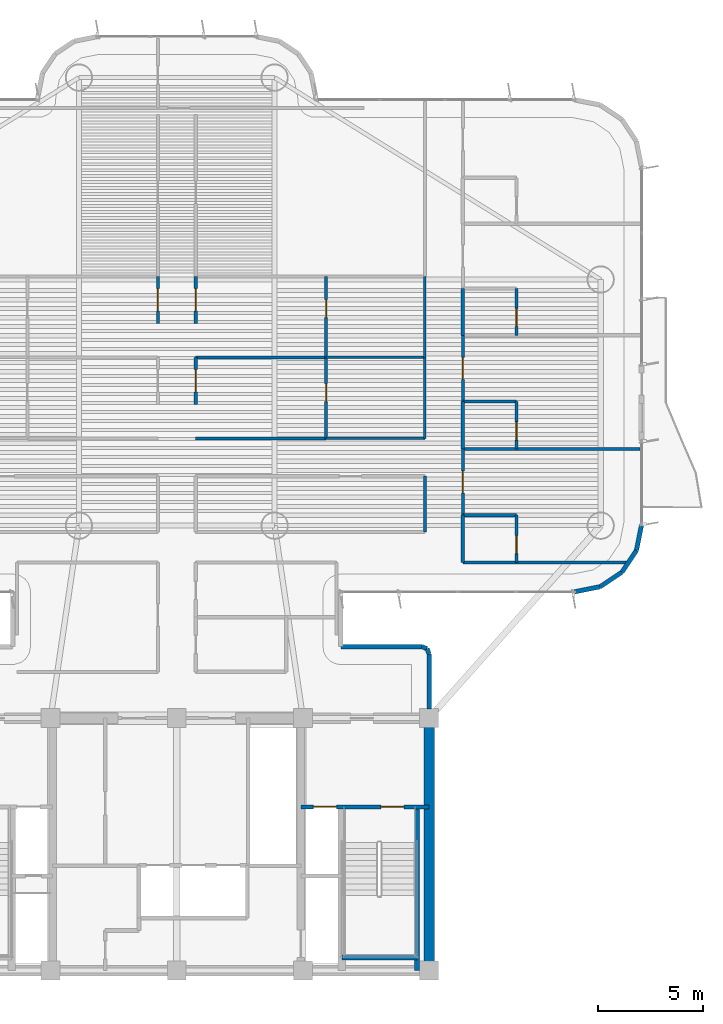
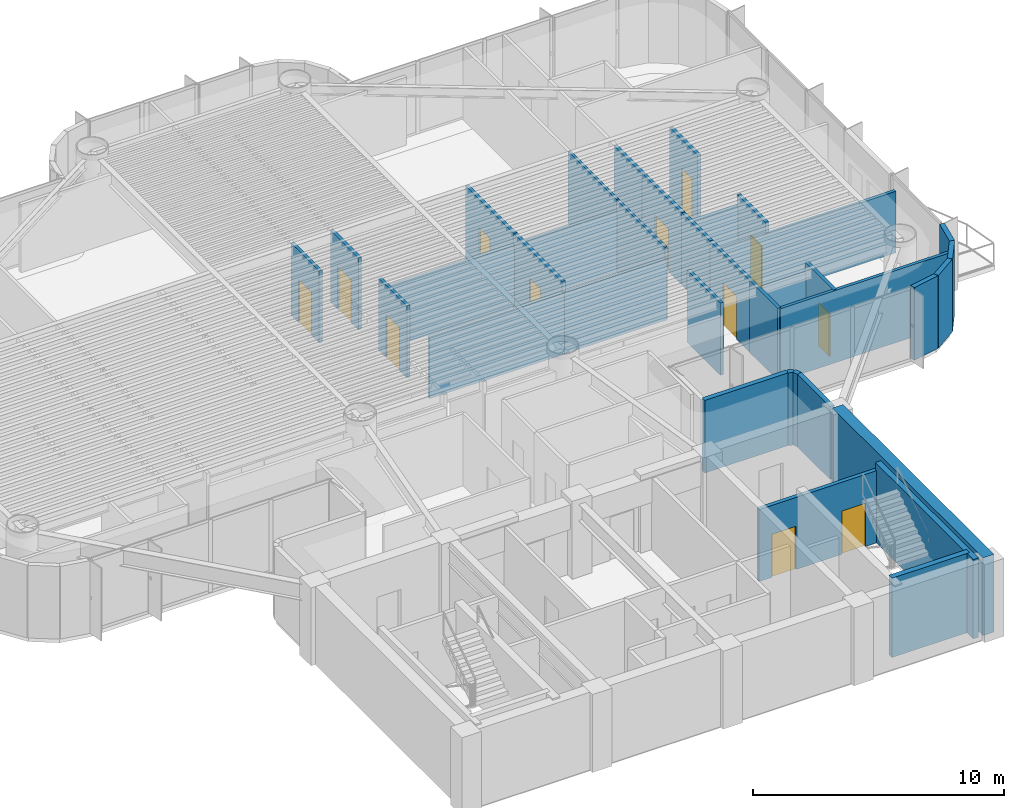
# One storey, part 11 of 17: 36 walls, 12 doors, 12 openings.
"""IFC4 building model written with IfcOpenShell, lengths in metres."""

from ifc_helpers import new_model, si_unit, direction, frame, frame_2d, origin, origin_2d, place, context, subcontext, project, spatial, rectangle, extrude, source, transform, mapped, material, layer, layer_set, type_object, element, fill, save


model = new_model("IFC4")

# Units and contexts
model_context = context("Model", 3, precision=1e-05, world=origin(), true_north=direction((0.0, 1.0)))
body_context = subcontext(model_context, "Body", "Model", "MODEL_VIEW")
ifc_project = project(units=[si_unit("LENGTHUNIT", "METRE"), si_unit("AREAUNIT", "SQUARE_METRE"), si_unit("VOLUMEUNIT", "CUBIC_METRE"), si_unit("PLANEANGLEUNIT", "RADIAN"), si_unit("MASSUNIT", "GRAM", prefix="KILO")], contexts=[model_context])

# Site, building, storey
site_placement = place(None, origin())
site = spatial("IfcSite", under=ifc_project, at=site_placement, CompositionType="ELEMENT")
building_placement = place(site_placement, origin())
building = spatial("IfcBuilding", under=site, at=building_placement, Name="Brelvock Crest Care Tower", CompositionType="ELEMENT")
storey_placement = place(building_placement, frame((0.0, 0.0, 127.6201171875)))
storey = spatial("IfcBuildingStorey", under=building, at=storey_placement, Name="L32", CompositionType="ELEMENT", Elevation=127.6201171875)

# Walls
ifc_material_1 = material(Name="Concrete S80 (80 MPa)", Category="concrete")
ifc_layer_1 = layer(ifc_material_1, 0.5, Name="WL-CS2")
ifc_layer_set_1 = layer_set([ifc_layer_1], Name="Concrete S80 (80 MPa)")
wall_type_1 = type_object("IfcWallType", Name="WL-CS2", PredefinedType="SHEAR", material=ifc_layer_set_1)
wall_1_placement = place(storey_placement, frame((48.0, 18.0, 0.0), z_axis=(0.0, 0.0, 1.0), x_axis=(0.0, -1.0, 0.0)))
element("IfcWall", 1, at=wall_1_placement, inside=storey, type_object=wall_type_1, Name="L32 Core East Shear Wall", PredefinedType="SHEAR", context=body_context, shape_type="SweptSolid", body=[
    extrude(rectangle(XDim=12.0, YDim=0.5, at=frame_2d((6.0, 0.0))), origin(), (0.0, 0.0, 1.0), 3.77978515625),
])
ifc_layer_2 = layer(ifc_material_1, 0.25, Name="WL-CS6")
ifc_layer_set_2 = layer_set([ifc_layer_2], Name="Concrete S80 (80 MPa)")
wall_type_2 = type_object("IfcWallType", Name="WL-CS6", PredefinedType="SHEAR", material=ifc_layer_set_2)
wall_2_placement = place(storey_placement, frame((47.419921875, 6.0, 0.0), z_axis=(0.0, 0.0, 1.0), x_axis=(0.0, 1.0, 0.0)))
element("IfcWall", 2, at=wall_2_placement, inside=storey, type_object=wall_type_2, Name="L32 Core Stair ST-2 East Shear Wall", PredefinedType="SHEAR", context=body_context, shape_type="SweptSolid", body=[
    extrude(rectangle(XDim=7.780029296875, YDim=0.25, at=frame_2d((3.89013671875, 0.0))), origin(), (0.0, 0.0, 1.0), 3.849853515625),
])
wall_3_placement = place(storey_placement, frame((43.85009765625, 6.6201171875, 0.0), z_axis=(0.0, 0.0, 1.0), x_axis=(1.0, 0.0, 0.0)))
element("IfcWall", 3, at=wall_3_placement, inside=storey, type_object=wall_type_2, Name="L32 Core Stair ST-2 South Shear Wall", PredefinedType="SHEAR", context=body_context, shape_type="SweptSolid", body=[
    extrude(rectangle(XDim=3.56982421875, YDim=0.25, at=frame_2d((1.784912109375, 0.0))), origin(), (0.0, 0.0, 1.0), 3.849853515625),
])
ifc_material_2 = material(Name="Precast concrete N40 (40 MPa)", Category="concrete")
ifc_layer_3 = layer(ifc_material_2, 0.215087890625, Name="WL-EX2")
ifc_layer_set_3 = layer_set([ifc_layer_3], Name="Precast concrete N40 (40 MPa)")
wall_type_3 = type_object("IfcWallType", Name="WL-EX2", PredefinedType="SOLIDWALL", material=ifc_layer_set_3)
wall_4_placement = place(storey_placement, frame((47.8974609375, 21.297607421875, 0.0), z_axis=(0.0, 0.0, 1.0), x_axis=(0.382673670509, -0.923883575944, 0.0)))
element("IfcWall", 4, at=wall_4_placement, inside=storey, type_object=wall_type_3, Name="L32 Rounded Corner Wall 00", PredefinedType="SOLIDWALL", context=body_context, shape_type="SweptSolid", body=[
    extrude(rectangle(XDim=0.26806640625, YDim=0.215087890625, at=frame_2d((0.134033203125, 0.0))), origin(), (0.0, 0.0, 1.0), 3.52978515625),
])
wall_5_placement = place(storey_placement, frame((48.0, 21.050048828125, 0.0), z_axis=(0.0, 0.0, 1.0), x_axis=(0.0, -1.0, 0.0)))
element("IfcWall", 5, at=wall_5_placement, inside=storey, type_object=wall_type_3, Name="L32 Rounded Corner Wall 01", PredefinedType="SOLIDWALL", context=body_context, shape_type="SweptSolid", body=[
    extrude(rectangle(XDim=2.6201171875, YDim=0.215087890625, at=frame_2d((1.31005859375, 0.0))), origin(), (0.0, 0.0, 1.0), 3.52978515625),
])
for number, where, z_axis, x_axis, name in (
    (6, (58.10009765625, 27.199951171875, 0.0), (0.0, 0.0, 1.0), (-0.195138390419, -0.980775717779, 0.0), "L32 Rounded Corner Wall 40"),
    (7, (57.8564453125, 25.975341796875, 0.0), (0.0, 0.0, 1.0), (-0.555692485475, -0.831387912822, 0.0), "L32 Rounded Corner Wall 41"),
    (8, (57.16259765625, 24.937255859375, 0.0), (0.0, 0.0, 1.0), (-0.831478245117, -0.555557312883, 0.0), "L32 Rounded Corner Wall 42"),
    (9, (56.12451171875, 24.24365234375, 0.0), (0.0, 0.0, 1.0), (-0.980775717779, -0.195138390419, 0.0), "L32 Rounded Corner Wall 43"),
):
    element("IfcWall", number, at=place(storey_placement, frame(where, z_axis=z_axis, x_axis=x_axis)), inside=storey, type_object=wall_type_3, Name=name, PredefinedType="SOLIDWALL", context=body_context, shape_type="SweptSolid", body=[
        extrude(rectangle(XDim=1.24853515625, YDim=0.215087890625, at=frame_2d((0.624267578125, 0.0))), origin(), (0.0, 0.0, 1.0), 3.52978515625),
    ])
wall_6_placement = place(storey_placement, frame((43.800048828125, 21.39990234375, 0.0), z_axis=(0.0, 0.0, 1.0), x_axis=(1.0, 0.0, 0.0)))
element("IfcWall", 10, at=wall_6_placement, inside=storey, type_object=wall_type_3, Name="L32 Rounded Corner Wall 46", PredefinedType="SOLIDWALL", context=body_context, shape_type="SweptSolid", body=[
    extrude(rectangle(XDim=3.849853515625, YDim=0.215087890625, at=frame_2d((1.9248046875, 0.0))), origin(), (0.0, 0.0, 1.0), 3.52978515625),
])
wall_7_placement = place(storey_placement, frame((47.64990234375, 21.39990234375, 0.0), z_axis=(0.0, 0.0, 1.0), x_axis=(0.924205486139, -0.381895560841, 0.0)))
element("IfcWall", 11, at=wall_7_placement, inside=storey, type_object=wall_type_3, Name="L32 Rounded Corner Wall 47", PredefinedType="SOLIDWALL", context=body_context, shape_type="SweptSolid", body=[
    extrude(rectangle(XDim=0.267822265625, YDim=0.215087890625, at=frame_2d((0.1337890625, 0.0))), origin(), (0.0, 0.0, 1.0), 3.52978515625),
])
ifc_material_3 = material(Name="Masonry Blockwork Acoustic Partition", Category="masonry")
ifc_layer_4 = layer(ifc_material_3, 0.14990234375, Name="WL-INT1")
ifc_layer_set_4 = layer_set([ifc_layer_4], Name="Masonry Blockwork Acoustic Partition")
wall_type_4 = type_object("IfcWallType", Name="WL-INT1", PredefinedType="PARTITIONING", material=ifc_layer_set_4)
wall_8_placement = place(storey_placement, frame((49.60009765625, 25.39990234375, 0.0), z_axis=(0.0, 0.0, 1.0), x_axis=(1.0, 0.0, 0.0)))
element("IfcWall", 12, at=wall_8_placement, inside=storey, type_object=wall_type_4, Name="L32 Interior Wall WL-BX-L32-CS-SNE1-S", PredefinedType="PARTITIONING", context=body_context, shape_type="SweptSolid", body=[
    extrude(rectangle(XDim=7.775634765625, YDim=0.14990234375, at=frame_2d((3.8876953125, 0.0))), origin(), (0.0, 0.0, 1.0), 3.5),
])
wall_9_placement = place(storey_placement, frame((49.60009765625, 30.800048828125, 0.0), z_axis=(0.0, 0.0, 1.0), x_axis=(1.0, 0.0, 0.0)))
element("IfcWall", 13, at=wall_9_placement, inside=storey, type_object=wall_type_4, Name="L32 Interior Wall WL-BX-L32-CS-SNE1-N", PredefinedType="PARTITIONING", context=body_context, shape_type="SweptSolid", body=[
    extrude(rectangle(XDim=8.419921875, YDim=0.14990234375, at=frame_2d((4.2099609375, 0.0))), origin(), (0.0, 0.0, 1.0), 2.98193359375),
])
for number, where, z_axis, x_axis, name in (
    (14, (36.89990234375, 31.300048828125, 0.0), (0.0, 0.0, 1.0), (1.0, 0.0, 0.0), "L32 Interior Wall WL-BX-L32-CS-INES1A-S"),
    (15, (36.89990234375, 35.14990234375, 0.0), (0.0, 0.0, 1.0), (1.0, 0.0, 0.0), "L32 Interior Wall WL-BX-L32-CS-INES1A-N"),
):
    element("IfcWall", number, at=place(storey_placement, frame(where, z_axis=z_axis, x_axis=x_axis)), inside=storey, type_object=wall_type_4, Name=name, PredefinedType="PARTITIONING", context=body_context, shape_type="SweptSolid", body=[
        extrude(rectangle(XDim=6.2001953125, YDim=0.14990234375, at=frame_2d((3.10009765625, 0.0))), origin(), (0.0, 0.0, 1.0), 2.98193359375),
    ])

# Wall, opening, door
wall_10_placement = place(storey_placement, frame((35.10009765625, 36.76708984375, 0.0), z_axis=(0.0, 0.0, 1.0), x_axis=(0.0, 1.0, 0.0)))
wall_10 = element("IfcWall", 16, at=wall_10_placement, inside=storey, type_object=wall_type_4, Name="L32 Interior Wall WL-CENT-L32-INWS1B", PredefinedType="PARTITIONING", context=body_context, shape_type="SweptSolid", body=[
    extrude(rectangle(XDim=2.23291015625, YDim=0.14990234375, at=frame_2d((1.116455078125, 0.0))), origin(), (0.0, 0.0, 1.0), 3.5),
])
opening_1_placement = place(wall_10_placement, frame((0.595947265625, 0.0, 0.0)))
opening_1 = element("IfcOpeningElement", 17, at=opening_1_placement, cuts=wall_10, Name="Opening CD-1", PredefinedType="OPENING", context=body_context, shape_type="SweptSolid", body=[
    extrude(rectangle(XDim=1.050048828125, YDim=2.10009765625, at=origin_2d()), frame((0.52490234375, 0.0849609375, 1.050048828125), z_axis=(0.0, -1.0, 0.0), x_axis=(1.0, 0.0, 0.0)), (0.0, 0.0, 1.0), 0.169921875),
])
ifc_material_4 = material(Name="Engineered Hardwood Timber", Category="wood")
door_type_1 = type_object("IfcDoorType", Name="DR-CARE1", OperationType="NOTDEFINED", PredefinedType="DOOR", material=ifc_material_4)
shared_shape_1 = source(origin(), body_context, "Body", "SweptSolid", [
    extrude(rectangle(XDim=1.050048828125, YDim=2.10009765625, at=origin_2d()), frame((0.52490234375, 0.02490234375, 1.050048828125), z_axis=(0.0, -1.0, 0.0), x_axis=(1.0, 0.0, 0.0)), (0.0, 0.0, 1.0), 0.050048828125),
])
door_1_placement = place(opening_1_placement, origin())
door_1 = element("IfcDoor", 18, at=door_1_placement, inside=storey, type_object=door_type_1, Name="L32 Care Suite Door INWS1B", OperationType="SINGLE_SWING_LEFT", OverallHeight=2.10009765625, OverallWidth=1.050048828125, PredefinedType="DOOR", context=body_context, shape_type="MappedRepresentation", body=[
    mapped(shared_shape_1, transform((0.0, 0.0, 0.0), x_axis=(1.0, 0.0, 0.0), y_axis=(0.0, 1.0, 0.0), z_axis=(0.0, 0.0, 1.0), scale=1.0)),
])
fill(opening_1, door_1)

wall_11_placement = place(storey_placement, frame((36.89990234375, 32.9169921875, 0.0), z_axis=(0.0, 0.0, 1.0), x_axis=(0.0, 1.0, 0.0)))
wall_11 = element("IfcWall", 19, at=wall_11_placement, inside=storey, type_object=wall_type_4, Name="L32 Interior Wall WL-CENT-L32-INES1A", PredefinedType="PARTITIONING", context=body_context, shape_type="SweptSolid", body=[
    extrude(rectangle(XDim=2.23291015625, YDim=0.14990234375, at=frame_2d((1.116455078125, 0.0))), origin(), (0.0, 0.0, 1.0), 3.5),
])
opening_2_placement = place(wall_11_placement, frame((0.595947265625, 0.0, 0.0)))
opening_2 = element("IfcOpeningElement", 20, at=opening_2_placement, cuts=wall_11, Name="Opening CD-1", PredefinedType="OPENING", context=body_context, shape_type="SweptSolid", body=[
    extrude(rectangle(XDim=1.050048828125, YDim=2.10009765625, at=origin_2d()), frame((0.52490234375, 0.0849609375, 1.050048828125), z_axis=(0.0, -1.0, 0.0), x_axis=(1.0, 0.0, 0.0)), (0.0, 0.0, 1.0), 0.169921875),
])
door_2_placement = place(opening_2_placement, origin())
door_2 = element("IfcDoor", 21, at=door_2_placement, inside=storey, type_object=door_type_1, Name="L32 Care Suite Door INES1A", OperationType="SINGLE_SWING_LEFT", OverallHeight=2.10009765625, OverallWidth=1.050048828125, PredefinedType="DOOR", context=body_context, shape_type="MappedRepresentation", body=[
    mapped(shared_shape_1, transform((0.0, 0.0, 0.0), x_axis=(1.0, 0.0, 0.0), y_axis=(0.0, 1.0, 0.0), z_axis=(0.0, 0.0, 1.0), scale=1.0)),
])
fill(opening_2, door_2)

wall_12_placement = place(storey_placement, frame((36.89990234375, 36.76708984375, 0.0), z_axis=(0.0, 0.0, 1.0), x_axis=(0.0, 1.0, 0.0)))
wall_12 = element("IfcWall", 22, at=wall_12_placement, inside=storey, type_object=wall_type_4, Name="L32 Interior Wall WL-CENT-L32-INES1B", PredefinedType="PARTITIONING", context=body_context, shape_type="SweptSolid", body=[
    extrude(rectangle(XDim=2.23291015625, YDim=0.14990234375, at=frame_2d((1.116455078125, 0.0))), origin(), (0.0, 0.0, 1.0), 3.5),
])
opening_3_placement = place(wall_12_placement, frame((0.595947265625, 0.0, 0.0)))
opening_3 = element("IfcOpeningElement", 23, at=opening_3_placement, cuts=wall_12, Name="Opening CD-1", PredefinedType="OPENING", context=body_context, shape_type="SweptSolid", body=[
    extrude(rectangle(XDim=1.050048828125, YDim=2.10009765625, at=origin_2d()), frame((0.52490234375, 0.0849609375, 1.050048828125), z_axis=(0.0, -1.0, 0.0), x_axis=(1.0, 0.0, 0.0)), (0.0, 0.0, 1.0), 0.169921875),
])
door_3_placement = place(opening_3_placement, origin())
door_3 = element("IfcDoor", 24, at=door_3_placement, inside=storey, type_object=door_type_1, Name="L32 Care Suite Door INES1B", OperationType="SINGLE_SWING_LEFT", OverallHeight=2.10009765625, OverallWidth=1.050048828125, PredefinedType="DOOR", context=body_context, shape_type="MappedRepresentation", body=[
    mapped(shared_shape_1, transform((0.0, 0.0, 0.0), x_axis=(1.0, 0.0, 0.0), y_axis=(0.0, 1.0, 0.0), z_axis=(0.0, 0.0, 1.0), scale=1.0)),
])
fill(opening_3, door_3)

wall_13_placement = place(storey_placement, frame((43.10009765625, 31.300048828125, 0.0), z_axis=(0.0, 0.0, 1.0), x_axis=(0.0, 1.0, 0.0)))
wall_13 = element("IfcWall", 25, at=wall_13_placement, inside=storey, type_object=wall_type_4, Name="L32 Interior Wall WL-RM-L32-INES1AS", PredefinedType="PARTITIONING", context=body_context, shape_type="SweptSolid", body=[
    extrude(rectangle(XDim=3.849853515625, YDim=0.14990234375, at=frame_2d((1.9248046875, 0.0))), origin(), (0.0, 0.0, 1.0), 3.5),
])
opening_4_placement = place(wall_13_placement, frame((1.739990234375, 0.0, 0.0)))
opening_4 = element("IfcOpeningElement", 26, at=opening_4_placement, cuts=wall_13, Name="Opening ID-1", PredefinedType="OPENING", context=body_context, shape_type="SweptSolid", body=[
    extrude(rectangle(XDim=0.860107421875, YDim=2.10009765625, at=origin_2d()), frame((0.43017578125, 0.0849609375, 1.050048828125), z_axis=(0.0, -1.0, 0.0), x_axis=(1.0, 0.0, 0.0)), (0.0, 0.0, 1.0), 0.169921875),
])
door_type_2 = type_object("IfcDoorType", Name="DR-INT1", OperationType="NOTDEFINED", PredefinedType="DOOR", material=ifc_material_4)
shared_shape_2 = source(origin(), body_context, "Body", "SweptSolid", [
    extrude(rectangle(XDim=0.860107421875, YDim=2.10009765625, at=origin_2d()), frame((0.43017578125, 0.02490234375, 1.050048828125), z_axis=(0.0, -1.0, 0.0), x_axis=(1.0, 0.0, 0.0)), (0.0, 0.0, 1.0), 0.050048828125),
])
door_4_placement = place(opening_4_placement, origin())
door_4 = element("IfcDoor", 27, at=door_4_placement, inside=storey, type_object=door_type_2, Name="L32 Skilled Nursing Mobility Store Door INES1AS", OperationType="SINGLE_SWING_LEFT", OverallHeight=2.10009765625, OverallWidth=0.860107421875, PredefinedType="DOOR", context=body_context, shape_type="MappedRepresentation", body=[
    mapped(shared_shape_2, transform((0.0, 0.0, 0.0), x_axis=(1.0, 0.0, 0.0), y_axis=(0.0, 1.0, 0.0), z_axis=(0.0, 0.0, 1.0), scale=1.0)),
])
fill(opening_4, door_4)

wall_14_placement = place(storey_placement, frame((43.10009765625, 35.14990234375, 0.0), z_axis=(0.0, 0.0, 1.0), x_axis=(0.0, 1.0, 0.0)))
wall_14 = element("IfcWall", 28, at=wall_14_placement, inside=storey, type_object=wall_type_4, Name="L32 Interior Wall WL-RM-L32-INES1BS", PredefinedType="PARTITIONING", context=body_context, shape_type="SweptSolid", body=[
    extrude(rectangle(XDim=3.85009765625, YDim=0.14990234375, at=frame_2d((1.925048828125, 0.0))), origin(), (0.0, 0.0, 1.0), 3.5),
])
opening_5_placement = place(wall_14_placement, frame((1.889892578125, 0.0, 0.0)))
opening_5 = element("IfcOpeningElement", 29, at=opening_5_placement, cuts=wall_14, Name="Opening ID-1", PredefinedType="OPENING", context=body_context, shape_type="SweptSolid", body=[
    extrude(rectangle(XDim=0.860107421875, YDim=2.10009765625, at=origin_2d()), frame((0.43017578125, 0.0849609375, 1.050048828125), z_axis=(0.0, -1.0, 0.0), x_axis=(1.0, 0.0, 0.0)), (0.0, 0.0, 1.0), 0.169921875),
])
door_5_placement = place(opening_5_placement, origin())
door_5 = element("IfcDoor", 30, at=door_5_placement, inside=storey, type_object=door_type_2, Name="L32 Skilled Nursing Mobility Store Door INES1BS", OperationType="SINGLE_SWING_LEFT", OverallHeight=2.10009765625, OverallWidth=0.860107421875, PredefinedType="DOOR", context=body_context, shape_type="MappedRepresentation", body=[
    mapped(shared_shape_2, transform((0.0, 0.0, 0.0), x_axis=(1.0, 0.0, 0.0), y_axis=(0.0, 1.0, 0.0), z_axis=(0.0, 0.0, 1.0), scale=1.0)),
])
fill(opening_5, door_5)

# Wall
wall_15_placement = place(storey_placement, frame((47.800048828125, 26.85009765625, 0.0), z_axis=(0.0, 0.0, 1.0), x_axis=(0.0, 1.0, 0.0)))
element("IfcWall", 31, at=wall_15_placement, inside=storey, type_object=wall_type_4, Name="L32 Interior Wall WL-BX-L32-ISEM-E", PredefinedType="PARTITIONING", context=body_context, shape_type="SweptSolid", body=[
    extrude(rectangle(XDim=2.64990234375, YDim=0.14990234375, at=frame_2d((1.324951171875, 0.0))), origin(), (0.0, 0.0, 1.0), 3.5),
])

# Wall, opening, door
wall_16_placement = place(storey_placement, frame((49.60009765625, 27.64990234375, 0.0), z_axis=(0.0, 0.0, 1.0), x_axis=(0.0, 1.0, 0.0)))
wall_16 = element("IfcWall", 32, at=wall_16_placement, inside=storey, type_object=wall_type_4, Name="L32 Interior Wall WL-CENT-L32-SNE1", PredefinedType="PARTITIONING", context=body_context, shape_type="SweptSolid", body=[
    extrude(rectangle(XDim=3.150146484375, YDim=0.14990234375, at=frame_2d((1.5751953125, 0.0))), origin(), (0.0, 0.0, 1.0), 3.5),
])
opening_6_placement = place(wall_16_placement, frame((1.054931640625, 0.0, 0.0)))
opening_6 = element("IfcOpeningElement", 33, at=opening_6_placement, cuts=wall_16, Name="Opening CD-1", PredefinedType="OPENING", context=body_context, shape_type="SweptSolid", body=[
    extrude(rectangle(XDim=1.050048828125, YDim=2.10009765625, at=origin_2d()), frame((0.52490234375, 0.0849609375, 1.050048828125), z_axis=(0.0, -1.0, 0.0), x_axis=(1.0, 0.0, 0.0)), (0.0, 0.0, 1.0), 0.169921875),
])
door_6_placement = place(opening_6_placement, origin())
door_6 = element("IfcDoor", 34, at=door_6_placement, inside=storey, type_object=door_type_1, Name="L32 Care Suite Door SNE1", OperationType="SINGLE_SWING_LEFT", OverallHeight=2.10009765625, OverallWidth=1.050048828125, PredefinedType="DOOR", context=body_context, shape_type="MappedRepresentation", body=[
    mapped(shared_shape_1, transform((0.0, 0.0, 0.0), x_axis=(1.0, 0.0, 0.0), y_axis=(0.0, 1.0, 0.0), z_axis=(0.0, 0.0, 1.0), scale=1.0)),
])
fill(opening_6, door_6)

wall_17_placement = place(storey_placement, frame((49.60009765625, 33.050048828125, 0.0), z_axis=(0.0, 0.0, 1.0), x_axis=(0.0, 1.0, 0.0)))
wall_17 = element("IfcWall", 35, at=wall_17_placement, inside=storey, type_object=wall_type_4, Name="L32 Interior Wall WL-CENT-L32-SNE2", PredefinedType="PARTITIONING", context=body_context, shape_type="SweptSolid", body=[
    extrude(rectangle(XDim=3.14990234375, YDim=0.14990234375, at=frame_2d((1.574951171875, 0.0))), origin(), (0.0, 0.0, 1.0), 3.5),
])
opening_7_placement = place(wall_17_placement, frame((1.054931640625, 0.0, 0.0)))
opening_7 = element("IfcOpeningElement", 36, at=opening_7_placement, cuts=wall_17, Name="Opening CD-1", PredefinedType="OPENING", context=body_context, shape_type="SweptSolid", body=[
    extrude(rectangle(XDim=1.050048828125, YDim=2.10009765625, at=origin_2d()), frame((0.52490234375, 0.0849609375, 1.050048828125), z_axis=(0.0, -1.0, 0.0), x_axis=(1.0, 0.0, 0.0)), (0.0, 0.0, 1.0), 0.169921875),
])
door_7_placement = place(opening_7_placement, origin())
door_7 = element("IfcDoor", 37, at=door_7_placement, inside=storey, type_object=door_type_1, Name="L32 Care Suite Door SNE2", OperationType="SINGLE_SWING_LEFT", OverallHeight=2.10009765625, OverallWidth=1.050048828125, PredefinedType="DOOR", context=body_context, shape_type="MappedRepresentation", body=[
    mapped(shared_shape_1, transform((0.0, 0.0, 0.0), x_axis=(1.0, 0.0, 0.0), y_axis=(0.0, 1.0, 0.0), z_axis=(0.0, 0.0, 1.0), scale=1.0)),
])
fill(opening_7, door_7)

# Walls
ifc_material_5 = material(Name="Gypsum Plasterboard Partition", Category="gypsum")
ifc_layer_5 = layer(ifc_material_5, 0.1201171875, Name="WL-INT2")
ifc_layer_set_5 = layer_set([ifc_layer_5], Name="Gypsum Plasterboard Partition")
wall_type_5 = type_object("IfcWallType", Name="WL-INT2", PredefinedType="PARTITIONING", material=ifc_layer_set_5)
for number, where, z_axis, x_axis, name in (
    (38, (43.10009765625, 31.300048828125, 0.0), (0.0, 0.0, 1.0), (1.0, 0.0, 0.0), "L32 Interior Wall WL-BX-L32-INES1AS-S"),
    (39, (43.10009765625, 35.14990234375, 0.0), (0.0, 0.0, 1.0), (1.0, 0.0, 0.0), "L32 Interior Wall WL-BX-L32-INES1AS-N"),
):
    element("IfcWall", number, at=place(storey_placement, frame(where, z_axis=z_axis, x_axis=x_axis)), inside=storey, type_object=wall_type_5, Name=name, PredefinedType="PARTITIONING", context=body_context, shape_type="SweptSolid", body=[
        extrude(rectangle(XDim=4.699951171875, YDim=0.1201171875, at=frame_2d((2.35009765625, 0.0))), origin(), (0.0, 0.0, 1.0), 2.98193359375),
    ])
wall_18_placement = place(storey_placement, frame((47.800048828125, 31.300048828125, 0.0), z_axis=(0.0, 0.0, 1.0), x_axis=(0.0, 1.0, 0.0)))
element("IfcWall", 40, at=wall_18_placement, inside=storey, type_object=wall_type_5, Name="L32 Interior Wall WL-BX-L32-INES1AS-E", PredefinedType="PARTITIONING", context=body_context, shape_type="SweptSolid", body=[
    extrude(rectangle(XDim=3.849853515625, YDim=0.1201171875, at=frame_2d((1.9248046875, 0.0))), origin(), (0.0, 0.0, 1.0), 3.5),
])
wall_19_placement = place(storey_placement, frame((47.800048828125, 35.14990234375, 0.0), z_axis=(0.0, 0.0, 1.0), x_axis=(0.0, 1.0, 0.0)))
element("IfcWall", 41, at=wall_19_placement, inside=storey, type_object=wall_type_5, Name="L32 Interior Wall WL-BX-L32-INES1BS-E", PredefinedType="PARTITIONING", context=body_context, shape_type="SweptSolid", body=[
    extrude(rectangle(XDim=3.85009765625, YDim=0.1201171875, at=frame_2d((1.925048828125, 0.0))), origin(), (0.0, 0.0, 1.0), 3.5),
])
ifc_layer_6 = layer(ifc_material_5, 0.159912109375, Name="WL-PLM1")
ifc_layer_set_6 = layer_set([ifc_layer_6], Name="Gypsum Plasterboard Partition")
wall_type_6 = type_object("IfcWallType", Name="WL-PLM1", PredefinedType="PLUMBINGWALL", material=ifc_layer_set_6)
for number, where, z_axis, x_axis, name in (
    (42, (49.60009765625, 27.64990234375, 0.0), (0.0, 0.0, 1.0), (1.0, 0.0, 0.0), "L32 Interior Wall WL-CENS2-L32-SNE1"),
    (43, (49.60009765625, 33.050048828125, 0.0), (0.0, 0.0, 1.0), (1.0, 0.0, 0.0), "L32 Interior Wall WL-CENS2-L32-SNE2"),
):
    element("IfcWall", number, at=place(storey_placement, frame(where, z_axis=z_axis, x_axis=x_axis)), inside=storey, type_object=wall_type_6, Name=name, PredefinedType="PLUMBINGWALL", context=body_context, shape_type="SweptSolid", body=[
        extrude(rectangle(XDim=2.5498046875, YDim=0.159912109375, at=frame_2d((1.27490234375, 0.0))), origin(), (0.0, 0.0, 1.0), 2.98193359375),
    ])
for number, where, z_axis, x_axis, name in (
    (44, (49.60009765625, 25.39990234375, 0.0), (0.0, 0.0, 1.0), (0.0, 1.0, 0.0), "L32 Interior Wall WL-CENS0-L32-SNE1"),
    (45, (49.60009765625, 30.800048828125, 0.0), (0.0, 0.0, 1.0), (0.0, 1.0, 0.0), "L32 Interior Wall WL-CENS0-L32-SNE2"),
):
    element("IfcWall", number, at=place(storey_placement, frame(where, z_axis=z_axis, x_axis=x_axis)), inside=storey, type_object=wall_type_6, Name=name, PredefinedType="PLUMBINGWALL", context=body_context, shape_type="SweptSolid", body=[
        extrude(rectangle(XDim=2.25, YDim=0.159912109375, at=frame_2d((1.125, 0.0))), origin(), (0.0, 0.0, 1.0), 3.5),
    ])
wall_20_placement = place(storey_placement, frame((49.60009765625, 36.199951171875, 0.0), z_axis=(0.0, 0.0, 1.0), x_axis=(0.0, 1.0, 0.0)))
element("IfcWall", 46, at=wall_20_placement, inside=storey, type_object=wall_type_6, Name="L32 Interior Wall WL-CENS0-L32-SNE3", PredefinedType="PLUMBINGWALL", context=body_context, shape_type="SweptSolid", body=[
    extrude(rectangle(XDim=2.22607421875, YDim=0.159912109375, at=frame_2d((1.113037109375, 0.0))), origin(), (0.0, 0.0, 1.0), 3.5),
])

# Wall, opening, door
wall_21_placement = place(storey_placement, frame((52.14990234375, 25.39990234375, 0.0), z_axis=(0.0, 0.0, 1.0), x_axis=(0.0, 1.0, 0.0)))
wall_21 = element("IfcWall", 47, at=wall_21_placement, inside=storey, type_object=wall_type_6, Name="L32 Interior Wall WL-CENS1-L32-SNE1", PredefinedType="PLUMBINGWALL", context=body_context, shape_type="SweptSolid", body=[
    extrude(rectangle(XDim=2.25, YDim=0.159912109375, at=frame_2d((1.125, 0.0))), origin(), (0.0, 0.0, 1.0), 3.5),
])
opening_8_placement = place(wall_21_placement, frame((0.419921875, 0.0, 0.0)))
opening_8 = element("IfcOpeningElement", 48, at=opening_8_placement, cuts=wall_21, Name="Opening WD-1", PredefinedType="OPENING", context=body_context, shape_type="SweptSolid", body=[
    extrude(rectangle(XDim=0.860107421875, YDim=2.10009765625, at=origin_2d()), frame((0.43017578125, 0.08984375, 1.050048828125), z_axis=(0.0, -1.0, 0.0), x_axis=(1.0, 0.0, 0.0)), (0.0, 0.0, 1.0), 0.179931640625),
])
door_type_3 = type_object("IfcDoorType", Name="DR-WC1", OperationType="NOTDEFINED", PredefinedType="DOOR", material=ifc_material_4)
shared_shape_3 = source(origin(), body_context, "Body", "SweptSolid", [
    extrude(rectangle(XDim=0.860107421875, YDim=2.10009765625, at=origin_2d()), frame((0.43017578125, 0.02490234375, 1.050048828125), z_axis=(0.0, -1.0, 0.0), x_axis=(1.0, 0.0, 0.0)), (0.0, 0.0, 1.0), 0.050048828125),
])
door_8_placement = place(opening_8_placement, origin())
door_8 = element("IfcDoor", 49, at=door_8_placement, inside=storey, type_object=door_type_3, Name="L32 Care En-Suite Door SNE1", OperationType="SINGLE_SWING_RIGHT", OverallHeight=2.10009765625, OverallWidth=0.860107421875, PredefinedType="DOOR", context=body_context, shape_type="MappedRepresentation", body=[
    mapped(shared_shape_3, transform((0.0, 0.0, 0.0), x_axis=(1.0, 0.0, 0.0), y_axis=(0.0, 1.0, 0.0), z_axis=(0.0, 0.0, 1.0), scale=1.0)),
])
fill(opening_8, door_8)

wall_22_placement = place(storey_placement, frame((52.14990234375, 30.800048828125, 0.0), z_axis=(0.0, 0.0, 1.0), x_axis=(0.0, 1.0, 0.0)))
wall_22 = element("IfcWall", 50, at=wall_22_placement, inside=storey, type_object=wall_type_6, Name="L32 Interior Wall WL-CENS1-L32-SNE2", PredefinedType="PLUMBINGWALL", context=body_context, shape_type="SweptSolid", body=[
    extrude(rectangle(XDim=2.25, YDim=0.159912109375, at=frame_2d((1.125, 0.0))), origin(), (0.0, 0.0, 1.0), 3.5),
])
opening_9_placement = place(wall_22_placement, frame((0.419921875, 0.0, 0.0)))
opening_9 = element("IfcOpeningElement", 51, at=opening_9_placement, cuts=wall_22, Name="Opening WD-1", PredefinedType="OPENING", context=body_context, shape_type="SweptSolid", body=[
    extrude(rectangle(XDim=0.860107421875, YDim=2.10009765625, at=origin_2d()), frame((0.43017578125, 0.08984375, 1.050048828125), z_axis=(0.0, -1.0, 0.0), x_axis=(1.0, 0.0, 0.0)), (0.0, 0.0, 1.0), 0.179931640625),
])
door_9_placement = place(opening_9_placement, origin())
door_9 = element("IfcDoor", 52, at=door_9_placement, inside=storey, type_object=door_type_3, Name="L32 Care En-Suite Door SNE2", OperationType="SINGLE_SWING_RIGHT", OverallHeight=2.10009765625, OverallWidth=0.860107421875, PredefinedType="DOOR", context=body_context, shape_type="MappedRepresentation", body=[
    mapped(shared_shape_3, transform((0.0, 0.0, 0.0), x_axis=(1.0, 0.0, 0.0), y_axis=(0.0, 1.0, 0.0), z_axis=(0.0, 0.0, 1.0), scale=1.0)),
])
fill(opening_9, door_9)

wall_23_placement = place(storey_placement, frame((52.14990234375, 36.199951171875, 0.0), z_axis=(0.0, 0.0, 1.0), x_axis=(0.0, 1.0, 0.0)))
wall_23 = element("IfcWall", 53, at=wall_23_placement, inside=storey, type_object=wall_type_6, Name="L32 Interior Wall WL-CENS1-L32-SNE3", PredefinedType="PLUMBINGWALL", context=body_context, shape_type="SweptSolid", body=[
    extrude(rectangle(XDim=2.22607421875, YDim=0.159912109375, at=frame_2d((1.113037109375, 0.0))), origin(), (0.0, 0.0, 1.0), 3.5),
])
opening_10_placement = place(wall_23_placement, frame((0.419921875, 0.0, 0.0)))
opening_10 = element("IfcOpeningElement", 54, at=opening_10_placement, cuts=wall_23, Name="Opening WD-1", PredefinedType="OPENING", context=body_context, shape_type="SweptSolid", body=[
    extrude(rectangle(XDim=0.860107421875, YDim=2.10009765625, at=origin_2d()), frame((0.43017578125, 0.08984375, 1.050048828125), z_axis=(0.0, -1.0, 0.0), x_axis=(1.0, 0.0, 0.0)), (0.0, 0.0, 1.0), 0.179931640625),
])
door_10_placement = place(opening_10_placement, origin())
door_10 = element("IfcDoor", 55, at=door_10_placement, inside=storey, type_object=door_type_3, Name="L32 Care En-Suite Door SNE3", OperationType="SINGLE_SWING_RIGHT", OverallHeight=2.10009765625, OverallWidth=0.860107421875, PredefinedType="DOOR", context=body_context, shape_type="MappedRepresentation", body=[
    mapped(shared_shape_3, transform((0.0, 0.0, 0.0), x_axis=(1.0, 0.0, 0.0), y_axis=(0.0, 1.0, 0.0), z_axis=(0.0, 0.0, 1.0), scale=1.0)),
])
fill(opening_10, door_10)

# Wall, openings, doors
ifc_layer_7 = layer(ifc_material_3, 0.179931640625, Name="WL-SHF1")
ifc_layer_set_7 = layer_set([ifc_layer_7], Name="Masonry Blockwork Acoustic Partition")
wall_type_7 = type_object("IfcWallType", Name="WL-SHF1", PredefinedType="PARTITIONING", material=ifc_layer_set_7)
wall_24_placement = place(storey_placement, frame((41.89990234375, 13.780029296875, 0.0), z_axis=(0.0, 0.0, 1.0), x_axis=(1.0, 0.0, 0.0)))
wall_24 = element("IfcWall", 56, at=wall_24_placement, inside=storey, type_object=wall_type_7, Name="L32 Interior Wall WL-ST2-N-L32", PredefinedType="PARTITIONING", context=body_context, shape_type="SweptSolid", body=[
    extrude(rectangle(XDim=6.10009765625, YDim=0.179931640625, at=frame_2d((3.050048828125, 0.0))), origin(), (0.0, 0.0, 1.0), 3.5),
])
opening_11_placement = place(wall_24_placement, frame((0.60009765625, 0.0, 0.0)))
opening_11 = element("IfcOpeningElement", 57, at=opening_11_placement, cuts=wall_24, Name="Opening LD", PredefinedType="OPENING", context=body_context, shape_type="SweptSolid", body=[
    extrude(rectangle(XDim=1.10009765625, YDim=2.10009765625, at=origin_2d()), frame((0.550048828125, 0.10009765625, 1.050048828125), z_axis=(0.0, -1.0, 0.0), x_axis=(1.0, 0.0, 0.0)), (0.0, 0.0, 1.0), 0.199951171875),
])
opening_12_placement = place(wall_24_placement, frame((3.800048828125, 0.0, 0.0)))
opening_12 = element("IfcOpeningElement", 58, at=opening_12_placement, cuts=wall_24, Name="Opening SD-1", PredefinedType="OPENING", context=body_context, shape_type="SweptSolid", body=[
    extrude(rectangle(XDim=1.10009765625, YDim=2.10009765625, at=origin_2d()), frame((0.550048828125, 0.10009765625, 1.050048828125), z_axis=(0.0, -1.0, 0.0), x_axis=(1.0, 0.0, 0.0)), (0.0, 0.0, 1.0), 0.199951171875),
])
ifc_material_6 = material(Name="Steel Grade 350", Category="steel")
door_type_4 = type_object("IfcDoorType", Name="DR-ST1", OperationType="NOTDEFINED", PredefinedType="DOOR", material=ifc_material_6)
shared_shape_4 = source(origin(), body_context, "Body", "SweptSolid", [
    extrude(rectangle(XDim=1.10009765625, YDim=2.10009765625, at=origin_2d()), frame((0.550048828125, 0.02490234375, 1.050048828125), z_axis=(0.0, -1.0, 0.0), x_axis=(1.0, 0.0, 0.0)), (0.0, 0.0, 1.0), 0.050048828125),
])
door_11_placement = place(opening_12_placement, origin())
door_11 = element("IfcDoor", 59, at=door_11_placement, inside=storey, type_object=door_type_4, Name="L32 Fire Stair ST-2 Door", OperationType="SINGLE_SWING_RIGHT", OverallHeight=2.10009765625, OverallWidth=1.10009765625, PredefinedType="DOOR", context=body_context, shape_type="MappedRepresentation", body=[
    mapped(shared_shape_4, transform((0.0, 0.0, 0.0), x_axis=(1.0, 0.0, 0.0), y_axis=(0.0, 1.0, 0.0), z_axis=(0.0, 0.0, 1.0), scale=1.0)),
])
fill(opening_12, door_11)
door_type_5 = type_object("IfcDoorType", Name="DR-LD1", OperationType="NOTDEFINED", PredefinedType="DOOR", material=ifc_material_6)
shared_shape_5 = source(origin(), body_context, "Body", "SweptSolid", [
    extrude(rectangle(XDim=1.10009765625, YDim=2.10009765625, at=origin_2d()), frame((0.550048828125, 0.02490234375, 1.050048828125), z_axis=(0.0, -1.0, 0.0), x_axis=(1.0, 0.0, 0.0)), (0.0, 0.0, 1.0), 0.050048828125),
])
door_12_placement = place(opening_11_placement, origin())
door_12 = element("IfcDoor", 60, at=door_12_placement, inside=storey, type_object=door_type_5, Name="L32 Firefighting Lift FFL-2 Landing Door", OperationType="SLIDING_TO_RIGHT", OverallHeight=2.10009765625, OverallWidth=1.10009765625, PredefinedType="DOOR", context=body_context, shape_type="MappedRepresentation", body=[
    mapped(shared_shape_5, transform((0.0, 0.0, 0.0), x_axis=(1.0, 0.0, 0.0), y_axis=(0.0, 1.0, 0.0), z_axis=(0.0, 0.0, 1.0), scale=1.0)),
])
fill(opening_11, door_12)

save(model, "model.ifc")
